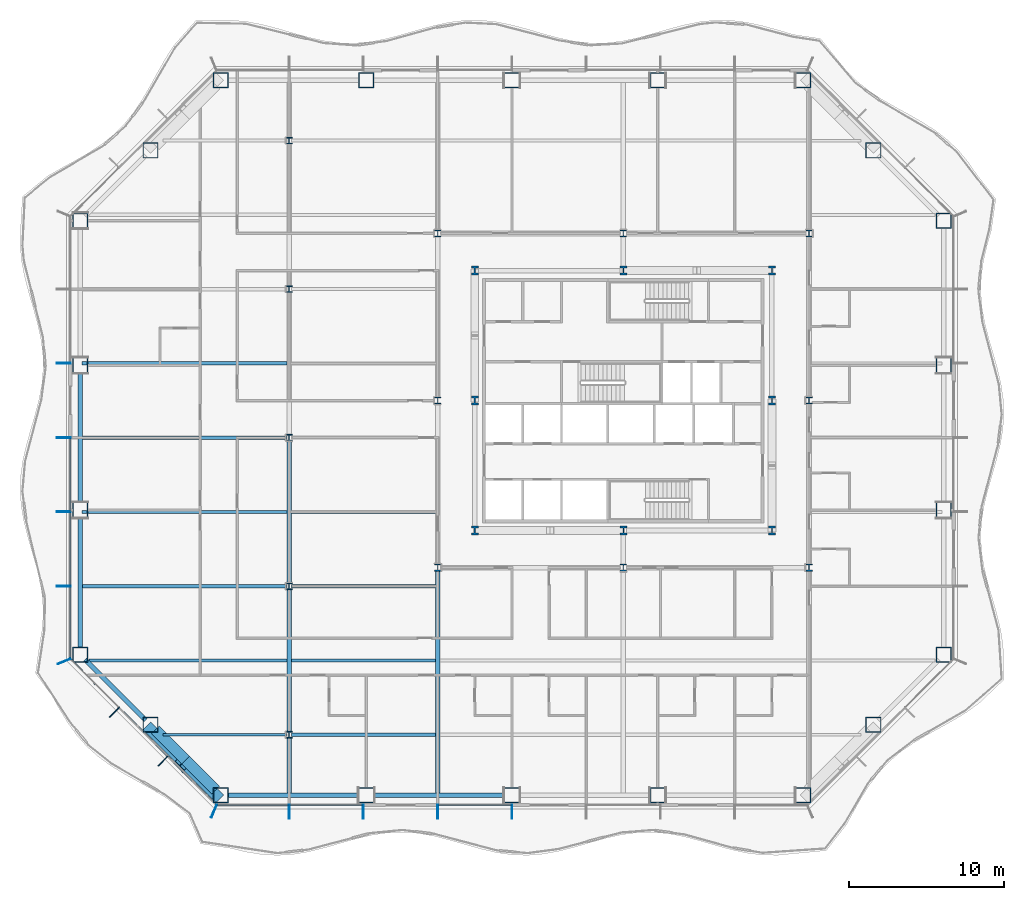
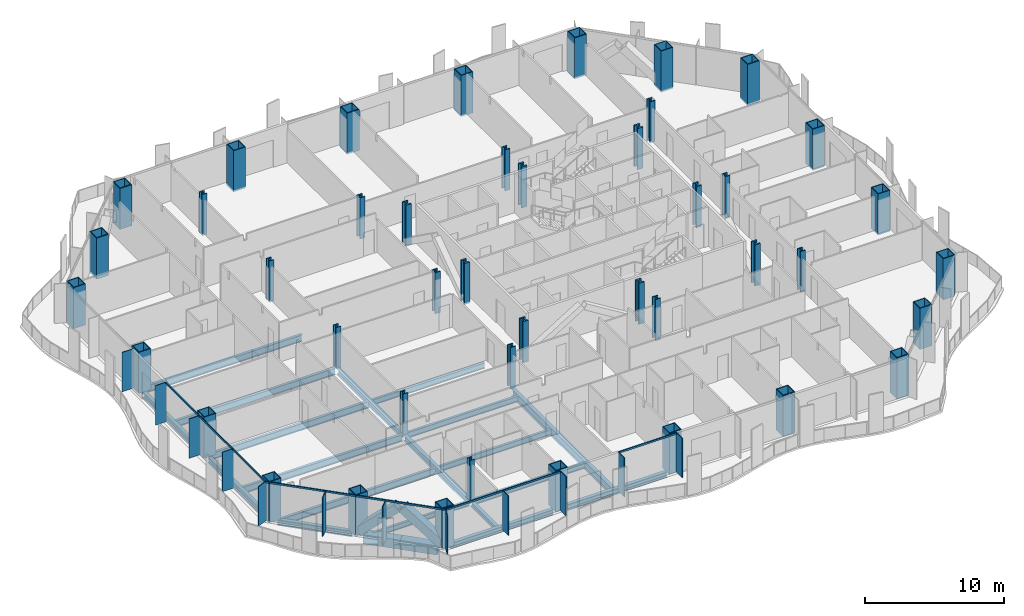
# One storey, part 1 of 21: 43 columns, 23 members, 21 beams, 3 elements without a shape of their own.
"""IFC4 building model written with IfcOpenShell, lengths in metres."""

import ifcopenshell
import ifcopenshell.guid

model = None  # the IFC model being written
_history = None  # IfcOwnerHistory: only IFC2X3 demands one
_inside = {}  # id of a spatial element -> (the spatial element, [elements in it])
_under = {}  # id of a project, library or spatial element -> (it, [spatial elements below it])
_declared = {}  # id of a project -> (the project, [libraries it declares])
_typed = {}  # id of a type object -> (the type object, [elements of that type])
_made_of = {}  # id of a material, layer set ... -> (it, [elements and type objects made of it])


def new_model(schema):
    """Start an empty IFC model of exactly this schema.

    Asked for "IFC4X3", IfcOpenShell would pick the latest addendum, in which some entities
    have other attributes; the version numbers below select the first issue.
    IFC2X3 requires an IfcOwnerHistory on every rooted entity: one is made here for all.
    """
    global model, _history
    if schema == "IFC4X3":
        model = ifcopenshell.file(schema_version=(4, 3, 0, 0))
    else:
        model = ifcopenshell.file(schema=schema)
    _inside.clear()
    _under.clear()
    _declared.clear()
    _typed.clear()
    _made_of.clear()
    _history = None
    if model.schema == "IFC2X3":
        org = make("IfcOrganization", Name="unknown")
        user = make(
            "IfcPersonAndOrganization",
            ThePerson=make("IfcPerson", FamilyName="unknown"),
            TheOrganization=org,
        )
        app = make(
            "IfcApplication",
            ApplicationDeveloper=org,
            Version="unknown",
            ApplicationFullName="unknown",
            ApplicationIdentifier="unknown",
        )
        _history = make(
            "IfcOwnerHistory",
            OwningUser=user,
            OwningApplication=app,
            ChangeAction="ADDED",
            CreationDate=0,
        )
    return model


def make(cls, **values):
    """One entity of the class cls with the attributes given. An attribute that is None is left unset."""
    return model.create_entity(
        cls, **{name: value for name, value in values.items() if value is not None}
    )


def rooted(cls, **values):
    """An entity with a GlobalId (a new one), such as an element, a storey or a relation."""
    return make(cls, GlobalId=ifcopenshell.guid.new(), OwnerHistory=_history, **values)


def si_unit(unit_type, name, prefix=None):
    """IfcSIUnit, for example si_unit("LENGTHUNIT", "METRE", prefix="MILLI")."""
    return make("IfcSIUnit", UnitType=unit_type, Prefix=prefix, Name=name)


def assignment(units):
    """IfcUnitAssignment: the units of a project."""
    return None if units is None else make("IfcUnitAssignment", Units=units)


def point(xyz):
    """IfcCartesianPoint."""
    return None if xyz is None else make("IfcCartesianPoint", Coordinates=xyz)


def direction(xyz):
    """IfcDirection."""
    return None if xyz is None else make("IfcDirection", DirectionRatios=xyz)


def frame(location, z_axis=None, x_axis=None):
    """IfcAxis2Placement3D, a coordinate frame: its origin and axes. An axis left out is left unset."""
    return make(
        "IfcAxis2Placement3D",
        Location=point(location),
        Axis=direction(z_axis),
        RefDirection=direction(x_axis),
    )


def frame_2d(location, x_axis=None):
    """IfcAxis2Placement2D, a coordinate frame in the plane: its origin and x axis."""
    return make(
        "IfcAxis2Placement2D", Location=point(location), RefDirection=direction(x_axis)
    )


def origin():
    """The frame at (0, 0, 0) with its axes left unset."""
    return frame((0.0, 0.0, 0.0))


def origin_2d():
    """The frame at (0, 0) in the plane with its x axis left unset."""
    return frame_2d((0.0, 0.0))


def place(relative_to, where):
    """IfcLocalPlacement: puts the frame where relative to a parent placement (None: the world)."""
    return make(
        "IfcLocalPlacement", PlacementRelTo=relative_to, RelativePlacement=where
    )


def context(
    kind, dimensions, precision=None, world=None, true_north=None, identifier=None
):
    """IfcGeometricRepresentationContext, for example the 3D "Model" context."""
    return make(
        "IfcGeometricRepresentationContext",
        ContextIdentifier=identifier,
        ContextType=kind,
        CoordinateSpaceDimension=dimensions,
        Precision=precision,
        WorldCoordinateSystem=world,
        TrueNorth=true_north,
    )


def subcontext(parent, identifier, kind, view, scale=None):
    """IfcGeometricRepresentationSubContext, for example "Body" below "Model"."""
    return make(
        "IfcGeometricRepresentationSubContext",
        ContextIdentifier=identifier,
        ContextType=kind,
        ParentContext=parent,
        TargetScale=scale,
        TargetView=view,
    )


def project(units=None, contexts=None):
    """IfcProject with its units and contexts."""
    return rooted(
        "IfcProject",
        Name="project",
        RepresentationContexts=contexts,
        UnitsInContext=assignment(units),
    )


def spatial(cls, under=None, at=None, **own):
    """A site, building, storey or space (cls), placed at a placement, below another one or the project."""
    s = rooted(cls, ObjectPlacement=at, **own)
    if under is not None:
        _under.setdefault(under.id(), (under, []))[1].append(s)
    return s


def profile(cls, at=None, kind="AREA", **sizes):
    """A parametric profile (cls). Its sizes go by their IFC names, for example OverallWidth=200.0."""
    return make(cls, ProfileType=kind, Position=at, **sizes)


def rectangle(**sizes):
    """IfcRectangleProfileDef."""
    return profile("IfcRectangleProfileDef", **sizes)


def hollow_rectangle(**sizes):
    """IfcRectangleHollowProfileDef."""
    return profile("IfcRectangleHollowProfileDef", **sizes)


def i_section(**sizes):
    """IfcIShapeProfileDef."""
    return profile("IfcIShapeProfileDef", **sizes)


def extrude(swept, where, along, depth):
    """IfcExtrudedAreaSolid: the profile swept, set in the frame where, extruded along a direction by depth."""
    return make(
        "IfcExtrudedAreaSolid",
        SweptArea=swept,
        Position=where,
        ExtrudedDirection=direction(along),
        Depth=depth,
    )


def shape(context_of_items, identifier, shape_type, items):
    """IfcShapeRepresentation: the items that make up one representation, for example the "Body"."""
    return make(
        "IfcShapeRepresentation",
        ContextOfItems=context_of_items,
        RepresentationIdentifier=identifier,
        RepresentationType=shape_type,
        Items=items,
    )


def material(Name=None, Category=None):
    """IfcMaterial."""
    return make("IfcMaterial", Name=Name, Category=Category)


def material_profile(
    of_material, cross_section, Name=None, Category=None, Priority=None
):
    """IfcMaterialProfile: a cross section and its material."""
    return make(
        "IfcMaterialProfile",
        Name=Name,
        Material=of_material,
        Profile=cross_section,
        Priority=Priority,
        Category=Category,
    )


def profile_set(profiles, Name=None, composite=None):
    """IfcMaterialProfileSet."""
    return make(
        "IfcMaterialProfileSet",
        Name=Name,
        MaterialProfiles=profiles,
        CompositeProfile=composite,
    )


def made_of(thing, what):
    """Note that an element or type object is made of a material, layer set ...; save() writes the relation."""
    if what is not None:
        _made_of.setdefault(what.id(), (what, []))[1].append(thing)
    return thing


def type_object(cls, material=None, **own):
    """A type object (cls), such as IfcWallType, which elements share."""
    return made_of(rooted(cls, **own), material)


def element(
    cls,
    number,
    at=None,
    inside=None,
    cuts=None,
    type_object=None,
    material=None,
    context=None,
    identifier="Body",
    shape_type=None,
    held_by="IfcProductDefinitionShape",
    body=None,
    shapes=None,
    **own,
):
    """One element of the class cls, such as IfcWall. Its Tag is "e" and its number.

    at: its placement. inside: the storey or other place that contains it. cuts: it is an
    opening in that element (IfcRelVoidsElement). A single representation is given by context,
    identifier, shape_type and body (its items); several are given by shapes. held_by: the class
    of the entity that holds the representations. save() writes the other relations.
    """
    e = rooted(cls, Tag="e%d" % number, ObjectPlacement=at, **own)
    if body is not None:
        shapes = [shape(context, identifier, shape_type, body)]
    if shapes is not None:
        e.Representation = make(held_by, Representations=shapes)
    if inside is not None:
        _inside.setdefault(inside.id(), (inside, []))[1].append(e)
    if cuts is not None:
        rooted(
            "IfcRelVoidsElement", RelatingBuildingElement=cuts, RelatedOpeningElement=e
        )
    if type_object is not None:
        _typed.setdefault(type_object.id(), (type_object, []))[1].append(e)
    return made_of(e, material)


def aggregate(whole, parts):
    """IfcRelAggregates: a whole, such as a stair, and the parts it consists of."""
    return rooted("IfcRelAggregates", RelatingObject=whole, RelatedObjects=parts)


def save(model, path):
    """Write the relations noted so far, then the file.

    IfcRelAggregates (storeys below a building ...), IfcRelContainedInSpatialStructure (elements
    in a storey), IfcRelDefinesByType, IfcRelAssociatesMaterial and IfcRelDeclares: one each for
    every whole, place, type object, material and project.
    """
    for whole, parts in _under.values():
        aggregate(whole, parts)
    for where, things in _inside.values():
        rooted(
            "IfcRelContainedInSpatialStructure",
            RelatedElements=things,
            RelatingStructure=where,
        )
    for kind, things in _typed.values():
        rooted("IfcRelDefinesByType", RelatedObjects=things, RelatingType=kind)
    for what, things in _made_of.values():
        rooted("IfcRelAssociatesMaterial", RelatedObjects=things, RelatingMaterial=what)
    for by, libraries in _declared.values():
        rooted("IfcRelDeclares", RelatingContext=by, RelatedDefinitions=libraries)
    model.write(path)


model = new_model("IFC4")

# Units and contexts
model_context = context("Model", 3, precision=1e-05, world=origin(), true_north=direction((0.0, 1.0)))
body_context = subcontext(model_context, "Body", "Model", "MODEL_VIEW")
ifc_project = project(units=[si_unit("LENGTHUNIT", "METRE"), si_unit("AREAUNIT", "SQUARE_METRE"), si_unit("VOLUMEUNIT", "CUBIC_METRE"), si_unit("PLANEANGLEUNIT", "RADIAN"), si_unit("MASSUNIT", "GRAM", prefix="KILO")], contexts=[model_context])

# Site, building, storey
site_placement = place(None, origin())
site = spatial("IfcSite", under=ifc_project, at=site_placement, CompositionType="ELEMENT")
building_placement = place(site_placement, origin())
building = spatial("IfcBuilding", under=site, at=building_placement, Name="Cairn Pilgrim Tower", CompositionType="ELEMENT")
storey_placement = place(building_placement, frame((0.0, 0.0, 43.800048828125)))
storey = spatial("IfcBuildingStorey", under=building, at=storey_placement, Name="L08", CompositionType="ELEMENT", Elevation=43.800048828125)

# Columns
ifc_material_1 = material(Name="Structural steel S460M", Category="steel")
ifc_material_profile_1 = material_profile(ifc_material_1, hollow_rectangle(XDim=1.0, YDim=1.0, WallThickness=0.06005859375, at=origin_2d()), Name="BOX 1000x1000x60")
ifc_profile_set_1 = profile_set([ifc_material_profile_1], Name="Structural steel S460M")
column_type_1 = type_object("IfcColumnType", Name="BOX 1000x1000x60", PredefinedType="COLUMN", material=ifc_profile_set_1)
for number, where, z_axis, x_axis, name in (
    (1, (-18.8271484375, -23.10009765625, -0.150146484375), (0.0, 0.0, 1.0), (1.0, 0.0, 0.0), "PC1-S1"),
    (2, (-9.41357421875, -23.10009765625, -0.150146484375), (0.0, 0.0, 1.0), (1.0, 0.0, 0.0), "PC1-S2"),
    (3, (0.0, -23.10009765625, -0.150146484375), (0.0, 0.0, 1.0), (1.0, 0.0, 0.0), "PC1-S3"),
    (4, (9.41357421875, -23.10009765625, -0.150146484375), (0.0, 0.0, 1.0), (1.0, 0.0, 0.0), "PC1-S4"),
    (5, (18.8271484375, -23.10009765625, -0.150146484375), (0.0, 0.0, 1.0), (1.0, 0.0, 0.0), "PC1-SE1"),
    (6, (23.363525390625, -18.563720703125, -0.150146484375), (0.0, 0.0, 1.0), (1.0, 0.0, 0.0), "PC1-SE2"),
    (7, (27.89990234375, -14.027099609375, -0.150146484375), (0.0, 0.0, 1.0), (1.0, 0.0, 0.0), "PC1-E1"),
    (8, (27.89990234375, -4.67578125, -0.150146484375), (0.0, 0.0, 1.0), (1.0, 0.0, 0.0), "PC1-E2"),
    (9, (27.89990234375, 4.67578125, -0.150146484375), (0.0, 0.0, 1.0), (1.0, 0.0, 0.0), "PC1-E3"),
    (10, (27.89990234375, 14.027099609375, -0.150146484375), (0.0, 0.0, 1.0), (1.0, 0.0, 0.0), "PC1-NE1"),
    (11, (23.363525390625, 18.563720703125, -0.150146484375), (0.0, 0.0, 1.0), (1.0, 0.0, 0.0), "PC1-NE2"),
    (12, (18.8271484375, 23.10009765625, -0.150146484375), (0.0, 0.0, 1.0), (1.0, 0.0, 0.0), "PC1-N1"),
    (13, (9.41357421875, 23.10009765625, -0.150146484375), (0.0, 0.0, 1.0), (1.0, 0.0, 0.0), "PC1-N2"),
    (14, (0.0, 23.10009765625, -0.150146484375), (0.0, 0.0, 1.0), (1.0, 0.0, 0.0), "PC1-N3"),
    (15, (-9.41357421875, 23.10009765625, -0.150146484375), (0.0, 0.0, 1.0), (1.0, 0.0, 0.0), "PC1-N4"),
    (16, (-18.8271484375, 23.10009765625, -0.150146484375), (0.0, 0.0, 1.0), (1.0, 0.0, 0.0), "PC1-NW1"),
    (17, (-23.363525390625, 18.563720703125, -0.150146484375), (0.0, 0.0, 1.0), (1.0, 0.0, 0.0), "PC1-NW2"),
    (18, (-27.89990234375, 14.027099609375, -0.150146484375), (0.0, 0.0, 1.0), (1.0, 0.0, 0.0), "PC1-W1"),
    (19, (-27.89990234375, 4.67578125, -0.150146484375), (0.0, 0.0, 1.0), (1.0, 0.0, 0.0), "PC1-W2"),
    (20, (-27.89990234375, -4.67578125, -0.150146484375), (0.0, 0.0, 1.0), (1.0, 0.0, 0.0), "PC1-W3"),
    (21, (-27.89990234375, -14.027099609375, -0.150146484375), (0.0, 0.0, 1.0), (1.0, 0.0, 0.0), "PC1-SW1"),
    (22, (-23.363525390625, -18.563720703125, -0.150146484375), (0.0, 0.0, 1.0), (1.0, 0.0, 0.0), "PC1-SW2"),
):
    element("IfcColumn", number, at=place(storey_placement, frame(where, z_axis=z_axis, x_axis=x_axis)), inside=storey, type_object=column_type_1, Name=name, PredefinedType="COLUMN", context=body_context, shape_type="SweptSolid", body=[
        extrude(hollow_rectangle(XDim=1.0, YDim=1.0, WallThickness=0.06005859375, at=origin_2d()), origin(), (0.0, 0.0, 1.0), 3.60009765625),
    ])
ifc_material_profile_2 = material_profile(ifc_material_1, i_section(OverallWidth=0.4541015625, OverallDepth=0.569091796875, WebThickness=0.077880859375, FlangeThickness=0.125, FilletRadius=0.014892578125, at=origin_2d()), Name="HD 400x1086")
ifc_profile_set_2 = profile_set([ifc_material_profile_2], Name="Structural steel S460M")
column_type_2 = type_object("IfcColumnType", Name="HD 400x1086", PredefinedType="COLUMN", material=ifc_profile_set_2)
for number, where, z_axis, x_axis, name in (
    (23, (-2.39990234375, -6.0, -0.150146484375), (0.0, 0.0, 1.0), (1.0, 0.0, 0.0), "KC-1"),
    (24, (7.199951171875, -6.0, -0.150146484375), (0.0, 0.0, 1.0), (1.0, 0.0, 0.0), "KC-2"),
    (25, (16.800048828125, -6.0, -0.150146484375), (0.0, 0.0, 1.0), (1.0, 0.0, 0.0), "KC-3"),
    (26, (-2.39990234375, 2.39990234375, -0.150146484375), (0.0, 0.0, 1.0), (1.0, 0.0, 0.0), "KC-4"),
    (27, (16.800048828125, 2.39990234375, -0.150146484375), (0.0, 0.0, 1.0), (1.0, 0.0, 0.0), "KC-5"),
    (28, (-2.39990234375, 10.800048828125, -0.150146484375), (0.0, 0.0, 1.0), (1.0, 0.0, 0.0), "KC-6"),
    (29, (7.199951171875, 10.800048828125, -0.150146484375), (0.0, 0.0, 1.0), (1.0, 0.0, 0.0), "KC-7"),
    (30, (16.800048828125, 10.800048828125, -0.150146484375), (0.0, 0.0, 1.0), (1.0, 0.0, 0.0), "KC-8"),
):
    element("IfcColumn", number, at=place(storey_placement, frame(where, z_axis=z_axis, x_axis=x_axis)), inside=storey, type_object=column_type_2, Name=name, PredefinedType="COLUMN", context=body_context, shape_type="SweptSolid", body=[
        extrude(i_section(OverallWidth=0.4541015625, OverallDepth=0.569091796875, WebThickness=0.077880859375, FlangeThickness=0.125, FilletRadius=0.014892578125, at=origin_2d()), origin(), (0.0, 0.0, 1.0), 3.60009765625),
    ])
ifc_material_profile_3 = material_profile(ifc_material_1, i_section(OverallWidth=0.408935546875, OverallDepth=0.425048828125, WebThickness=0.03271484375, FlangeThickness=0.052490234375, FilletRadius=0.014892578125, at=origin_2d()), Name="HD 400x421")
ifc_profile_set_3 = profile_set([ifc_material_profile_3], Name="Structural steel S460M")
column_type_3 = type_object("IfcColumnType", Name="HD 400x421", PredefinedType="COLUMN", material=ifc_profile_set_3)
for number, where, z_axis, x_axis, name in (
    (31, (-14.39990234375, -19.199951171875, -0.150146484375), (0.0, 0.0, 1.0), (1.0, 0.0, 0.0), "WC-WW-4"),
    (32, (-14.39990234375, -9.60009765625, -0.150146484375), (0.0, 0.0, 1.0), (1.0, 0.0, 0.0), "WC-WW-2"),
    (33, (-14.39990234375, 0.0, -0.150146484375), (0.0, 0.0, 1.0), (1.0, 0.0, 0.0), "WC-WW+0"),
    (34, (-14.39990234375, 9.60009765625, -0.150146484375), (0.0, 0.0, 1.0), (1.0, 0.0, 0.0), "WC-WW+2"),
    (35, (-14.39990234375, 19.199951171875, -0.150146484375), (0.0, 0.0, 1.0), (1.0, 0.0, 0.0), "WC-WW+4"),
):
    element("IfcColumn", number, at=place(storey_placement, frame(where, z_axis=z_axis, x_axis=x_axis)), inside=storey, type_object=column_type_3, Name=name, PredefinedType="COLUMN", context=body_context, shape_type="SweptSolid", body=[
        extrude(i_section(OverallWidth=0.408935546875, OverallDepth=0.425048828125, WebThickness=0.03271484375, FlangeThickness=0.052490234375, FilletRadius=0.014892578125, at=origin_2d()), origin(), (0.0, 0.0, 1.0), 3.60009765625),
    ])
ifc_material_profile_4 = material_profile(ifc_material_1, i_section(OverallWidth=0.424072265625, OverallDepth=0.47412109375, WebThickness=0.047607421875, FlangeThickness=0.0771484375, FilletRadius=0.014892578125, at=origin_2d()), Name="HD 400x634")
ifc_profile_set_4 = profile_set([ifc_material_profile_4], Name="Structural steel S460M")
column_type_4 = type_object("IfcColumnType", Name="HD 400x634", PredefinedType="COLUMN", material=ifc_profile_set_4)
for number, where, z_axis, x_axis, name in (
    (36, (-4.800048828125, -8.39990234375, -0.150146484375), (0.0, 0.0, 1.0), (1.0, 0.0, 0.0), "IC-1"),
    (37, (7.199951171875, -8.39990234375, -0.150146484375), (0.0, 0.0, 1.0), (1.0, 0.0, 0.0), "IC-2"),
    (38, (19.199951171875, -8.39990234375, -0.150146484375), (0.0, 0.0, 1.0), (1.0, 0.0, 0.0), "IC-3"),
    (39, (-4.800048828125, 2.39990234375, -0.150146484375), (0.0, 0.0, 1.0), (1.0, 0.0, 0.0), "IC-4"),
    (40, (19.199951171875, 2.39990234375, -0.150146484375), (0.0, 0.0, 1.0), (1.0, 0.0, 0.0), "IC-5"),
    (41, (-4.800048828125, 13.199951171875, -0.150146484375), (0.0, 0.0, 1.0), (1.0, 0.0, 0.0), "IC-6"),
    (42, (7.199951171875, 13.199951171875, -0.150146484375), (0.0, 0.0, 1.0), (1.0, 0.0, 0.0), "IC-7"),
    (43, (19.199951171875, 13.199951171875, -0.150146484375), (0.0, 0.0, 1.0), (1.0, 0.0, 0.0), "IC-8"),
):
    element("IfcColumn", number, at=place(storey_placement, frame(where, z_axis=z_axis, x_axis=x_axis)), inside=storey, type_object=column_type_4, Name=name, PredefinedType="COLUMN", context=body_context, shape_type="SweptSolid", body=[
        extrude(i_section(OverallWidth=0.424072265625, OverallDepth=0.47412109375, WebThickness=0.047607421875, FlangeThickness=0.0771484375, FilletRadius=0.014892578125, at=origin_2d()), origin(), (0.0, 0.0, 1.0), 3.60009765625),
    ])

# Members
ifc_material_profile_5 = material_profile(ifc_material_1, hollow_rectangle(XDim=0.699951171875, YDim=0.699951171875, WallThickness=0.0400390625, at=origin_2d()), Name="BOX 700x700x40")
ifc_profile_set_5 = profile_set([ifc_material_profile_5], Name="Structural steel S460M")
member_type_1 = type_object("IfcMemberType", Name="BOX 700x700x40 BRACE", PredefinedType="BRACE", material=ifc_profile_set_5)
member_1_placement = place(storey_placement, frame((-23.44482421875, -18.786376953125, 0.14990234375), z_axis=(0.528068439288, -0.528068439288, 0.665046950866), x_axis=(0.707106781187, 0.707106781187, 0.0)))
element("IfcMember", 44, at=member_1_placement, inside=storey, type_object=member_type_1, Name="XB-SW2-S1-1", PredefinedType="BRACE", context=body_context, shape_type="SweptSolid", body=[
    extrude(hollow_rectangle(XDim=0.699951171875, YDim=0.699951171875, WallThickness=0.0400390625, at=origin_2d()), origin(), (0.0, 0.0, 1.0), 3.899658203125),
])
member_2_placement = place(storey_placement, frame((-19.0498046875, -23.181396484375, 0.14990234375), z_axis=(-0.528096125699, 0.528096125699, 0.665002980477), x_axis=(-0.707106781187, -0.707106781187, 0.0)))
element("IfcMember", 45, at=member_2_placement, inside=storey, type_object=member_type_1, Name="XB-SW2-S1-2", PredefinedType="BRACE", context=body_context, shape_type="SweptSolid", body=[
    extrude(hollow_rectangle(XDim=0.699951171875, YDim=0.699951171875, WallThickness=0.0400390625, at=origin_2d()), origin(), (0.0, 0.0, 1.0), 3.89990234375),
])

# Beams
ifc_material_2 = material(Name="Structural steel S355J2", Category="steel")
ifc_material_profile_6 = material_profile(ifc_material_2, hollow_rectangle(XDim=0.699951171875, YDim=0.800048828125, WallThickness=0.0400390625, at=origin_2d()), Name="BOX 700x800x40")
ifc_profile_set_6 = profile_set([ifc_material_profile_6], Name="Structural steel S355J2")
beam_type_1 = type_object("IfcBeamType", Name="BOX 700x800x40 RING GIRDER", PredefinedType="SPANDREL", material=ifc_profile_set_6)
for number, where, z_axis, x_axis, name in (
    (46, (-23.04541015625, -18.8818359375, -0.550048828125), (0.707106781187, -0.707106781187, 0.0), (0.707106781187, 0.707106781187, 0.0), "RG1-SW2-S1-1"),
    (47, (-21.095458984375, -20.831787109375, -0.550048828125), (0.707106781187, -0.707106781187, 0.0), (0.707106781187, 0.707106781187, 0.0), "RG1-SW2-S1-2"),
):
    element("IfcBeam", number, at=place(storey_placement, frame(where, z_axis=z_axis, x_axis=x_axis)), inside=storey, type_object=beam_type_1, Name=name, PredefinedType="SPANDREL", context=body_context, shape_type="SweptSolid", body=[
        extrude(hollow_rectangle(XDim=0.699951171875, YDim=0.800048828125, WallThickness=0.0400390625, at=origin_2d()), origin(), (0.0, 0.0, 1.0), 2.757568359375),
    ])

# Curtain wall, members
ifc_material_3 = material(Name="Aluminium alloy 6063-T6 bronze anodised with Bronze tinted laminated low-E glass 8+16+8.8", Category="aluminium")
curtain_wall_type_1 = type_object("IfcCurtainWallType", Name="TOWER STICK CURTAIN WALL NS", PredefinedType="NOTDEFINED", material=ifc_material_3)
curtain_wall_1_placement = place(storey_placement, origin())
curtain_wall_1 = element("IfcCurtainWall", 48, at=curtain_wall_1_placement, inside=storey, type_object=curtain_wall_type_1, Name="Tower Stick Curtain Wall Ns S", PredefinedType="NOTDEFINED")
ifc_material_4 = material(Name="Aluminium alloy 6063-T6 bronze anodised", Category="aluminium")
ifc_material_profile_7 = material_profile(ifc_material_4, rectangle(XDim=0.89990234375, YDim=0.06005859375, at=origin_2d()), Name="FIN MULLION 60x900 BRONZE")
ifc_profile_set_7 = profile_set([ifc_material_profile_7], Name="Aluminium alloy 6063-T6 bronze anodised")
member_type_2 = type_object("IfcMemberType", Name="FIN MULLION 60x900 BRONZE", PredefinedType="MULLION", material=ifc_profile_set_7)
member_3_placement = place(storey_placement, frame((-19.257080078125, -24.137939453125, 0.0), z_axis=(0.0, 0.0, 1.0), x_axis=(-0.382683432365, -0.923879532511, 0.0)))
member_3 = element("IfcMember", 49, at=member_3_placement, type_object=member_type_2, Name="Fin mullion S1", PredefinedType="MULLION", context=body_context, shape_type="SweptSolid", body=[
    extrude(rectangle(XDim=0.89990234375, YDim=0.06005859375, at=origin_2d()), origin(), (0.0, 0.0, 1.0), 3.449951171875),
])
member_4_placement = place(storey_placement, frame((-14.39990234375, -24.169921875, 0.0), z_axis=(0.0, 0.0, 1.0), x_axis=(0.0, -1.0, 0.0)))
member_4 = element("IfcMember", 50, at=member_4_placement, type_object=member_type_2, Name="Fin mullion S2", PredefinedType="MULLION", context=body_context, shape_type="SweptSolid", body=[
    extrude(rectangle(XDim=0.89990234375, YDim=0.06005859375, at=origin_2d()), origin(), (0.0, 0.0, 1.0), 3.449951171875),
])
member_5_placement = place(storey_placement, frame((-9.60009765625, -24.169921875, 0.0), z_axis=(0.0, 0.0, 1.0), x_axis=(0.0, -1.0, 0.0)))
member_5 = element("IfcMember", 51, at=member_5_placement, type_object=member_type_2, Name="Fin mullion S3", PredefinedType="MULLION", context=body_context, shape_type="SweptSolid", body=[
    extrude(rectangle(XDim=0.89990234375, YDim=0.06005859375, at=origin_2d()), origin(), (0.0, 0.0, 1.0), 3.449951171875),
])
member_6_placement = place(storey_placement, frame((-4.800048828125, -24.169921875, 0.0), z_axis=(0.0, 0.0, 1.0), x_axis=(0.0, -1.0, 0.0)))
member_6 = element("IfcMember", 52, at=member_6_placement, type_object=member_type_2, Name="Fin mullion S4", PredefinedType="MULLION", context=body_context, shape_type="SweptSolid", body=[
    extrude(rectangle(XDim=0.89990234375, YDim=0.06005859375, at=origin_2d()), origin(), (0.0, 0.0, 1.0), 3.449951171875),
])
member_7_placement = place(storey_placement, frame((0.0, -24.169921875, 0.0), z_axis=(0.0, 0.0, 1.0), x_axis=(0.0, -1.0, 0.0)))
member_7 = element("IfcMember", 53, at=member_7_placement, type_object=member_type_2, Name="Fin mullion S5", PredefinedType="MULLION", context=body_context, shape_type="SweptSolid", body=[
    extrude(rectangle(XDim=0.89990234375, YDim=0.06005859375, at=origin_2d()), origin(), (0.0, 0.0, 1.0), 3.449951171875),
])

curtain_wall_type_2 = type_object("IfcCurtainWallType", Name="TOWER STICK CURTAIN WALL EW", PredefinedType="NOTDEFINED", material=ifc_material_3)
curtain_wall_2_placement = place(storey_placement, origin())
curtain_wall_2 = element("IfcCurtainWall", 54, at=curtain_wall_2_placement, inside=storey, type_object=curtain_wall_type_2, Name="Tower Stick Curtain Wall Ew W", PredefinedType="NOTDEFINED")
member_8_placement = place(storey_placement, frame((-28.969970703125, 4.800048828125, 0.0), z_axis=(0.0, 0.0, 1.0), x_axis=(-1.0, 0.0, 0.0)))
member_8 = element("IfcMember", 55, at=member_8_placement, type_object=member_type_2, Name="Fin mullion W3", PredefinedType="MULLION", context=body_context, shape_type="SweptSolid", body=[
    extrude(rectangle(XDim=0.89990234375, YDim=0.06005859375, at=origin_2d()), origin(), (0.0, 0.0, 1.0), 3.449951171875),
])
member_9_placement = place(storey_placement, frame((-28.969970703125, 0.0, 0.0), z_axis=(0.0, 0.0, 1.0), x_axis=(-1.0, 0.0, 0.0)))
member_9 = element("IfcMember", 56, at=member_9_placement, type_object=member_type_2, Name="Fin mullion W4", PredefinedType="MULLION", context=body_context, shape_type="SweptSolid", body=[
    extrude(rectangle(XDim=0.89990234375, YDim=0.06005859375, at=origin_2d()), origin(), (0.0, 0.0, 1.0), 3.449951171875),
])
member_10_placement = place(storey_placement, frame((-28.969970703125, -4.800048828125, 0.0), z_axis=(0.0, 0.0, 1.0), x_axis=(-1.0, 0.0, 0.0)))
member_10 = element("IfcMember", 57, at=member_10_placement, type_object=member_type_2, Name="Fin mullion W5", PredefinedType="MULLION", context=body_context, shape_type="SweptSolid", body=[
    extrude(rectangle(XDim=0.89990234375, YDim=0.06005859375, at=origin_2d()), origin(), (0.0, 0.0, 1.0), 3.449951171875),
])
member_11_placement = place(storey_placement, frame((-28.969970703125, -9.60009765625, 0.0), z_axis=(0.0, 0.0, 1.0), x_axis=(-1.0, 0.0, 0.0)))
member_11 = element("IfcMember", 58, at=member_11_placement, type_object=member_type_2, Name="Fin mullion W6", PredefinedType="MULLION", context=body_context, shape_type="SweptSolid", body=[
    extrude(rectangle(XDim=0.89990234375, YDim=0.06005859375, at=origin_2d()), origin(), (0.0, 0.0, 1.0), 3.449951171875),
])

curtain_wall_type_3 = type_object("IfcCurtainWallType", Name="CHAMFER CORNER CURTAIN WALL", PredefinedType="NOTDEFINED", material=ifc_material_3)
curtain_wall_3_placement = place(storey_placement, origin())
curtain_wall_3 = element("IfcCurtainWall", 59, at=curtain_wall_3_placement, inside=storey, type_object=curtain_wall_type_3, Name="Chamfer Corner Curtain Wall SW", PredefinedType="NOTDEFINED")
member_12_placement = place(storey_placement, frame((-28.93798828125, -14.457275390625, 0.0), z_axis=(0.0, 0.0, 1.0), x_axis=(-0.923879532511, -0.382683432365, 0.0)))
member_12 = element("IfcMember", 60, at=member_12_placement, type_object=member_type_2, Name="Fin mullion SW1", PredefinedType="MULLION", context=body_context, shape_type="SweptSolid", body=[
    extrude(rectangle(XDim=0.89990234375, YDim=0.06005859375, at=origin_2d()), origin(), (0.0, 0.0, 1.0), 3.449951171875),
])
member_13_placement = place(storey_placement, frame((-25.69580078125, -17.74462890625, 0.0), z_axis=(0.0, 0.0, 1.0), x_axis=(-0.707106781187, -0.707106781187, 0.0)))
member_13 = element("IfcMember", 61, at=member_13_placement, type_object=member_type_2, Name="Fin mullion SW2", PredefinedType="MULLION", context=body_context, shape_type="SweptSolid", body=[
    extrude(rectangle(XDim=0.89990234375, YDim=0.06005859375, at=origin_2d()), origin(), (0.0, 0.0, 1.0), 3.449951171875),
])
member_14_placement = place(storey_placement, frame((-22.544677734375, -20.895751953125, 0.0), z_axis=(0.0, 0.0, 1.0), x_axis=(-0.707106781187, -0.707106781187, 0.0)))
member_14 = element("IfcMember", 62, at=member_14_placement, type_object=member_type_2, Name="Fin mullion SW3", PredefinedType="MULLION", context=body_context, shape_type="SweptSolid", body=[
    extrude(rectangle(XDim=0.89990234375, YDim=0.06005859375, at=origin_2d()), origin(), (0.0, 0.0, 1.0), 3.449951171875),
])

# Beams
ifc_material_profile_8 = material_profile(ifc_material_2, i_section(OverallWidth=0.300048828125, OverallDepth=0.39990234375, WebThickness=0.013427734375, FlangeThickness=0.02392578125, FilletRadius=0.027099609375, at=origin_2d()), Name="HEB 400")
ifc_profile_set_8 = profile_set([ifc_material_profile_8], Name="Structural steel S355J2")
beam_type_2 = type_object("IfcBeamType", Name="HEB 400 GIRDER", PredefinedType="BEAM", material=ifc_profile_set_8)
beam_1_placement = place(storey_placement, frame((-14.39990234375, -22.97998046875, -0.35009765625), z_axis=(0.0, 1.0, 0.0), x_axis=(-1.0, 0.0, 0.0)))
element("IfcBeam", 63, at=beam_1_placement, inside=storey, type_object=beam_type_2, Name="PG1-1", PredefinedType="BEAM", context=body_context, shape_type="SweptSolid", body=[
    extrude(i_section(OverallWidth=0.300048828125, OverallDepth=0.39990234375, WebThickness=0.013427734375, FlangeThickness=0.02392578125, FilletRadius=0.027099609375, at=origin_2d()), origin(), (0.0, 0.0, 1.0), 3.575439453125),
])
ifc_material_profile_9 = material_profile(ifc_material_2, i_section(OverallWidth=0.300048828125, OverallDepth=0.5, WebThickness=0.014404296875, FlangeThickness=0.028076171875, FilletRadius=0.027099609375, at=origin_2d()), Name="HEB 500")
ifc_profile_set_9 = profile_set([ifc_material_profile_9], Name="Structural steel S355J2")
beam_type_3 = type_object("IfcBeamType", Name="HEB 500 GIRDER", PredefinedType="BEAM", material=ifc_profile_set_9)
beam_2_placement = place(storey_placement, frame((-14.39990234375, -18.99560546875, -0.400146484375), z_axis=(0.0, 1.0, 0.0), x_axis=(-1.0, 0.0, 0.0)))
element("IfcBeam", 64, at=beam_2_placement, inside=storey, type_object=beam_type_3, Name="PG1-2", PredefinedType="BEAM", context=body_context, shape_type="SweptSolid", body=[
    extrude(i_section(OverallWidth=0.300048828125, OverallDepth=0.5, WebThickness=0.014404296875, FlangeThickness=0.028076171875, FilletRadius=0.027099609375, at=origin_2d()), origin(), (0.0, 0.0, 1.0), 9.191162109375),
])
beam_3_placement = place(storey_placement, frame((-14.39990234375, -9.3955078125, -0.400146484375), z_axis=(0.0, 1.0, 0.0), x_axis=(-1.0, 0.0, 0.0)))
element("IfcBeam", 65, at=beam_3_placement, inside=storey, type_object=beam_type_3, Name="PG1-3", PredefinedType="BEAM", context=body_context, shape_type="SweptSolid", body=[
    extrude(i_section(OverallWidth=0.300048828125, OverallDepth=0.5, WebThickness=0.014404296875, FlangeThickness=0.028076171875, FilletRadius=0.027099609375, at=origin_2d()), origin(), (0.0, 0.0, 1.0), 9.19091796875),
])
ifc_material_profile_10 = material_profile(ifc_material_2, i_section(OverallWidth=0.300048828125, OverallDepth=0.5, WebThickness=0.014404296875, FlangeThickness=0.028076171875, FilletRadius=0.027099609375, at=origin_2d()), Name="HEB 500")
ifc_profile_set_10 = profile_set([ifc_material_profile_10], Name="Structural steel S355J2")
beam_type_4 = type_object("IfcBeamType", Name="HEB 500 RING GIRDER", PredefinedType="SPANDREL", material=ifc_profile_set_10)
for number, where, z_axis, x_axis, name in (
    (66, (-18.377197265625, -23.10009765625, -0.400146484375), (1.0, 0.0, 0.0), (0.0, 1.0, 0.0), "RG1-S1-S2"),
    (67, (-8.963623046875, -23.10009765625, -0.400146484375), (1.0, 0.0, 0.0), (0.0, 1.0, 0.0), "RG1-S2-S3"),
):
    element("IfcBeam", number, at=place(storey_placement, frame(where, z_axis=z_axis, x_axis=x_axis)), inside=storey, type_object=beam_type_4, Name=name, PredefinedType="SPANDREL", context=body_context, shape_type="SweptSolid", body=[
        extrude(i_section(OverallWidth=0.300048828125, OverallDepth=0.5, WebThickness=0.014404296875, FlangeThickness=0.028076171875, FilletRadius=0.027099609375, at=origin_2d()), origin(), (0.0, 0.0, 1.0), 8.513671875),
    ])
beam_4_placement = place(storey_placement, frame((-27.89990234375, 4.2255859375, -0.400146484375), z_axis=(0.0, -1.0, 0.0), x_axis=(1.0, 0.0, 0.0)))
element("IfcBeam", 68, at=beam_4_placement, inside=storey, type_object=beam_type_4, Name="RG1-W2-W3", PredefinedType="SPANDREL", context=body_context, shape_type="SweptSolid", body=[
    extrude(i_section(OverallWidth=0.300048828125, OverallDepth=0.5, WebThickness=0.014404296875, FlangeThickness=0.028076171875, FilletRadius=0.027099609375, at=origin_2d()), origin(), (0.0, 0.0, 1.0), 8.451171875),
])
beam_5_placement = place(storey_placement, frame((-27.89990234375, -5.125732421875, -0.400146484375), z_axis=(0.0, -1.0, 0.0), x_axis=(1.0, 0.0, 0.0)))
element("IfcBeam", 69, at=beam_5_placement, inside=storey, type_object=beam_type_4, Name="RG1-W3-SW1", PredefinedType="SPANDREL", context=body_context, shape_type="SweptSolid", body=[
    extrude(i_section(OverallWidth=0.300048828125, OverallDepth=0.5, WebThickness=0.014404296875, FlangeThickness=0.028076171875, FilletRadius=0.027099609375, at=origin_2d()), origin(), (0.0, 0.0, 1.0), 8.451416015625),
])
beam_6_placement = place(storey_placement, frame((-27.581787109375, -14.345458984375, -0.400146484375), z_axis=(0.707106781187, -0.707106781187, 0.0), x_axis=(0.707106781187, 0.707106781187, 0.0)))
element("IfcBeam", 70, at=beam_6_placement, inside=storey, type_object=beam_type_4, Name="RG1-SW1-SW2", PredefinedType="SPANDREL", context=body_context, shape_type="SweptSolid", body=[
    extrude(i_section(OverallWidth=0.300048828125, OverallDepth=0.5, WebThickness=0.014404296875, FlangeThickness=0.028076171875, FilletRadius=0.027099609375, at=origin_2d()), origin(), (0.0, 0.0, 1.0), 5.515380859375),
])
ifc_material_profile_11 = material_profile(ifc_material_2, i_section(OverallWidth=0.300048828125, OverallDepth=0.699951171875, WebThickness=0.01708984375, FlangeThickness=0.031982421875, FilletRadius=0.027099609375, at=origin_2d()), Name="HEB 700")
ifc_profile_set_11 = profile_set([ifc_material_profile_11], Name="Structural steel S355J2")
beam_type_5 = type_object("IfcBeamType", Name="HEB 700 GIRDER", PredefinedType="BEAM", material=ifc_profile_set_11)
beam_7_placement = place(storey_placement, frame((-4.800048828125, -22.97998046875, -0.5), z_axis=(0.0, 1.0, 0.0), x_axis=(-1.0, 0.0, 0.0)))
element("IfcBeam", 71, at=beam_7_placement, inside=storey, type_object=beam_type_5, Name="PG2-1", PredefinedType="BEAM", context=body_context, shape_type="SweptSolid", body=[
    extrude(i_section(OverallWidth=0.300048828125, OverallDepth=0.699951171875, WebThickness=0.01708984375, FlangeThickness=0.031982421875, FilletRadius=0.027099609375, at=origin_2d()), origin(), (0.0, 0.0, 1.0), 14.367919921875),
])
ifc_material_profile_12 = material_profile(ifc_material_2, i_section(OverallWidth=0.18994140625, OverallDepth=0.449951171875, WebThickness=0.009521484375, FlangeThickness=0.0146484375, FilletRadius=0.02099609375, at=origin_2d()), Name="IPE 450")
ifc_profile_set_12 = profile_set([ifc_material_profile_12], Name="Structural steel S355J2")
beam_type_6 = type_object("IfcBeamType", Name="IPE 450 SECONDARY BEAM", PredefinedType="JOIST", material=ifc_profile_set_12)
beam_8_placement = place(storey_placement, frame((-22.545166015625, -19.199951171875, -0.375), z_axis=(1.0, 0.0, 0.0), x_axis=(0.0, 1.0, 0.0)))
element("IfcBeam", 72, at=beam_8_placement, inside=storey, type_object=beam_type_6, Name="SB1-1", PredefinedType="JOIST", context=body_context, shape_type="SweptSolid", body=[
    extrude(i_section(OverallWidth=0.18994140625, OverallDepth=0.449951171875, WebThickness=0.009521484375, FlangeThickness=0.0146484375, FilletRadius=0.02099609375, at=origin_2d()), origin(), (0.0, 0.0, 1.0), 7.9951171875),
])
ifc_material_profile_13 = material_profile(ifc_material_2, i_section(OverallWidth=0.199951171875, OverallDepth=0.5, WebThickness=0.01025390625, FlangeThickness=0.01611328125, FilletRadius=0.02099609375, at=origin_2d()), Name="IPE 500")
ifc_profile_set_13 = profile_set([ifc_material_profile_13], Name="Structural steel S355J2")
beam_type_7 = type_object("IfcBeamType", Name="IPE 500 SECONDARY BEAM", PredefinedType="JOIST", material=ifc_profile_set_13)
for number, where, z_axis, x_axis, name in (
    (73, (-14.25, -19.199951171875, -0.400146484375), (1.0, 0.0, 0.0), (0.0, 1.0, 0.0), "SB1-2"),
    (74, (-14.25, -14.39990234375, -0.400146484375), (1.0, 0.0, 0.0), (0.0, 1.0, 0.0), "SB2-2"),
    (75, (-14.25, -9.60009765625, -0.400146484375), (1.0, 0.0, 0.0), (0.0, 1.0, 0.0), "SB3-2"),
    (76, (-14.25, -4.800048828125, -0.400146484375), (1.0, 0.0, 0.0), (0.0, 1.0, 0.0), "SB4-2"),
):
    element("IfcBeam", number, at=place(storey_placement, frame(where, z_axis=z_axis, x_axis=x_axis)), inside=storey, type_object=beam_type_7, Name=name, PredefinedType="JOIST", context=body_context, shape_type="SweptSolid", body=[
        extrude(i_section(OverallWidth=0.199951171875, OverallDepth=0.5, WebThickness=0.01025390625, FlangeThickness=0.01611328125, FilletRadius=0.02099609375, at=origin_2d()), origin(), (0.0, 0.0, 1.0), 9.300048828125),
    ])
ifc_material_profile_14 = material_profile(ifc_material_2, i_section(OverallWidth=0.219970703125, OverallDepth=0.60009765625, WebThickness=0.011962890625, FlangeThickness=0.01904296875, FilletRadius=0.02392578125, at=origin_2d()), Name="IPE 600")
ifc_profile_set_14 = profile_set([ifc_material_profile_14], Name="Structural steel S355J2")
beam_type_8 = type_object("IfcBeamType", Name="IPE 600 SECONDARY BEAM", PredefinedType="JOIST", material=ifc_profile_set_14)
beam_9_placement = place(storey_placement, frame((-27.34521484375, -14.39990234375, -0.449951171875), z_axis=(1.0, 0.0, 0.0), x_axis=(0.0, 1.0, 0.0)))
element("IfcBeam", 77, at=beam_9_placement, inside=storey, type_object=beam_type_8, Name="SB2-1", PredefinedType="JOIST", context=body_context, shape_type="SweptSolid", body=[
    extrude(i_section(OverallWidth=0.219970703125, OverallDepth=0.60009765625, WebThickness=0.011962890625, FlangeThickness=0.01904296875, FilletRadius=0.02392578125, at=origin_2d()), origin(), (0.0, 0.0, 1.0), 12.795166015625),
])
for number, where, z_axis, x_axis, name in (
    (78, (-27.780029296875, -9.60009765625, -0.449951171875), (1.0, 0.0, 0.0), (0.0, 1.0, 0.0), "SB3-1"),
    (79, (-27.780029296875, -4.800048828125, -0.449951171875), (1.0, 0.0, 0.0), (0.0, 1.0, 0.0), "SB4-1"),
    (80, (-27.780029296875, 0.0, -0.449951171875), (1.0, 0.0, 0.0), (0.0, 1.0, 0.0), "SB5-1"),
    (81, (-27.780029296875, 4.800048828125, -0.449951171875), (1.0, 0.0, 0.0), (0.0, 1.0, 0.0), "SB6-1"),
):
    element("IfcBeam", number, at=place(storey_placement, frame(where, z_axis=z_axis, x_axis=x_axis)), inside=storey, type_object=beam_type_8, Name=name, PredefinedType="JOIST", context=body_context, shape_type="SweptSolid", body=[
        extrude(i_section(OverallWidth=0.219970703125, OverallDepth=0.60009765625, WebThickness=0.011962890625, FlangeThickness=0.01904296875, FilletRadius=0.02392578125, at=origin_2d()), origin(), (0.0, 0.0, 1.0), 13.22998046875),
    ])

# Member
ifc_material_profile_15 = material_profile(ifc_material_4, rectangle(XDim=0.080078125, YDim=0.14990234375, at=origin_2d()), Name="TRANSOM 80x150 BRONZE")
ifc_profile_set_15 = profile_set([ifc_material_profile_15], Name="Aluminium alloy 6063-T6 bronze anodised")
member_type_3 = type_object("IfcMemberType", Name="TRANSOM 80x150 BRONZE", PredefinedType="USERDEFINED", material=ifc_profile_set_15)
member_15_placement = place(storey_placement, frame((-19.056396484375, -23.75, 3.375), z_axis=(1.0, 0.0, 0.0), x_axis=(0.0, 1.0, 0.0)))
member_15 = element("IfcMember", 82, at=member_15_placement, type_object=member_type_3, Name="Transom S1", ObjectType="TRANSOM", PredefinedType="USERDEFINED", context=body_context, shape_type="SweptSolid", body=[
    extrude(rectangle(XDim=0.080078125, YDim=0.14990234375, at=origin_2d()), origin(), (0.0, 0.0, 1.0), 4.62646484375),
])

member_16_placement = place(storey_placement, frame((-14.3701171875, -23.75, 3.375), z_axis=(1.0, 0.0, 0.0), x_axis=(0.0, 1.0, 0.0)))
member_16 = element("IfcMember", 83, at=member_16_placement, type_object=member_type_3, Name="Transom S2", ObjectType="TRANSOM", PredefinedType="USERDEFINED", context=body_context, shape_type="SweptSolid", body=[
    extrude(rectangle(XDim=0.080078125, YDim=0.14990234375, at=origin_2d()), origin(), (0.0, 0.0, 1.0), 4.740234375),
])

member_17_placement = place(storey_placement, frame((-4.77001953125, -23.75, 3.375), z_axis=(1.0, 0.0, 0.0), x_axis=(0.0, 1.0, 0.0)))
member_17 = element("IfcMember", 84, at=member_17_placement, type_object=member_type_3, Name="Transom S4", ObjectType="TRANSOM", PredefinedType="USERDEFINED", context=body_context, shape_type="SweptSolid", body=[
    extrude(rectangle(XDim=0.080078125, YDim=0.14990234375, at=origin_2d()), origin(), (0.0, 0.0, 1.0), 4.739990234375),
])

aggregate(curtain_wall_1, [member_3, member_4, member_5, member_6, member_7, member_15, member_16, member_17])

member_18_placement = place(storey_placement, frame((-28.550048828125, -0.030029296875, 3.375), z_axis=(0.0, -1.0, 0.0), x_axis=(1.0, 0.0, 0.0)))
member_18 = element("IfcMember", 85, at=member_18_placement, type_object=member_type_3, Name="Transom W4", ObjectType="TRANSOM", PredefinedType="USERDEFINED", context=body_context, shape_type="SweptSolid", body=[
    extrude(rectangle(XDim=0.080078125, YDim=0.14990234375, at=origin_2d()), origin(), (0.0, 0.0, 1.0), 4.739990234375),
])

member_19_placement = place(storey_placement, frame((-28.550048828125, -4.830078125, 3.375), z_axis=(0.0, -1.0, 0.0), x_axis=(1.0, 0.0, 0.0)))
member_19 = element("IfcMember", 86, at=member_19_placement, type_object=member_type_3, Name="Transom W5", ObjectType="TRANSOM", PredefinedType="USERDEFINED", context=body_context, shape_type="SweptSolid", body=[
    extrude(rectangle(XDim=0.080078125, YDim=0.14990234375, at=origin_2d()), origin(), (0.0, 0.0, 1.0), 4.739990234375),
])

member_20_placement = place(storey_placement, frame((-28.550048828125, -9.6298828125, 3.375), z_axis=(0.0, -1.0, 0.0), x_axis=(1.0, 0.0, 0.0)))
member_20 = element("IfcMember", 87, at=member_20_placement, type_object=member_type_3, Name="Transom W6", ObjectType="TRANSOM", PredefinedType="USERDEFINED", context=body_context, shape_type="SweptSolid", body=[
    extrude(rectangle(XDim=0.080078125, YDim=0.14990234375, at=origin_2d()), origin(), (0.0, 0.0, 1.0), 4.62646484375),
])

aggregate(curtain_wall_2, [member_8, member_9, member_10, member_11, member_18, member_19, member_20])

member_21_placement = place(storey_placement, frame((-28.521728515625, -14.32470703125, 3.375), z_axis=(0.707106781187, -0.707106781187, 0.0), x_axis=(0.707106781187, 0.707106781187, 0.0)))
member_21 = element("IfcMember", 88, at=member_21_placement, type_object=member_type_3, Name="Transom SW1", ObjectType="TRANSOM", PredefinedType="USERDEFINED", context=body_context, shape_type="SweptSolid", body=[
    extrude(rectangle(XDim=0.080078125, YDim=0.14990234375, at=origin_2d()), origin(), (0.0, 0.0, 1.0), 4.38671875),
])

member_22_placement = place(storey_placement, frame((-25.377685546875, -17.46875, 3.375), z_axis=(0.707106781187, -0.707106781187, 0.0), x_axis=(0.707106781187, 0.707106781187, 0.0)))
member_22 = element("IfcMember", 89, at=member_22_placement, type_object=member_type_3, Name="Transom SW2", ObjectType="TRANSOM", PredefinedType="USERDEFINED", context=body_context, shape_type="SweptSolid", body=[
    extrude(rectangle(XDim=0.080078125, YDim=0.14990234375, at=origin_2d()), origin(), (0.0, 0.0, 1.0), 4.396728515625),
])

member_23_placement = place(storey_placement, frame((-22.226318359375, -20.6201171875, 3.375), z_axis=(0.707106781187, -0.707106781187, 0.0), x_axis=(0.707106781187, 0.707106781187, 0.0)))
member_23 = element("IfcMember", 90, at=member_23_placement, type_object=member_type_3, Name="Transom SW3", ObjectType="TRANSOM", PredefinedType="USERDEFINED", context=body_context, shape_type="SweptSolid", body=[
    extrude(rectangle(XDim=0.080078125, YDim=0.14990234375, at=origin_2d()), origin(), (0.0, 0.0, 1.0), 4.38623046875),
])

aggregate(curtain_wall_3, [member_12, member_13, member_14, member_21, member_22, member_23])

save(model, "model.ifc")
